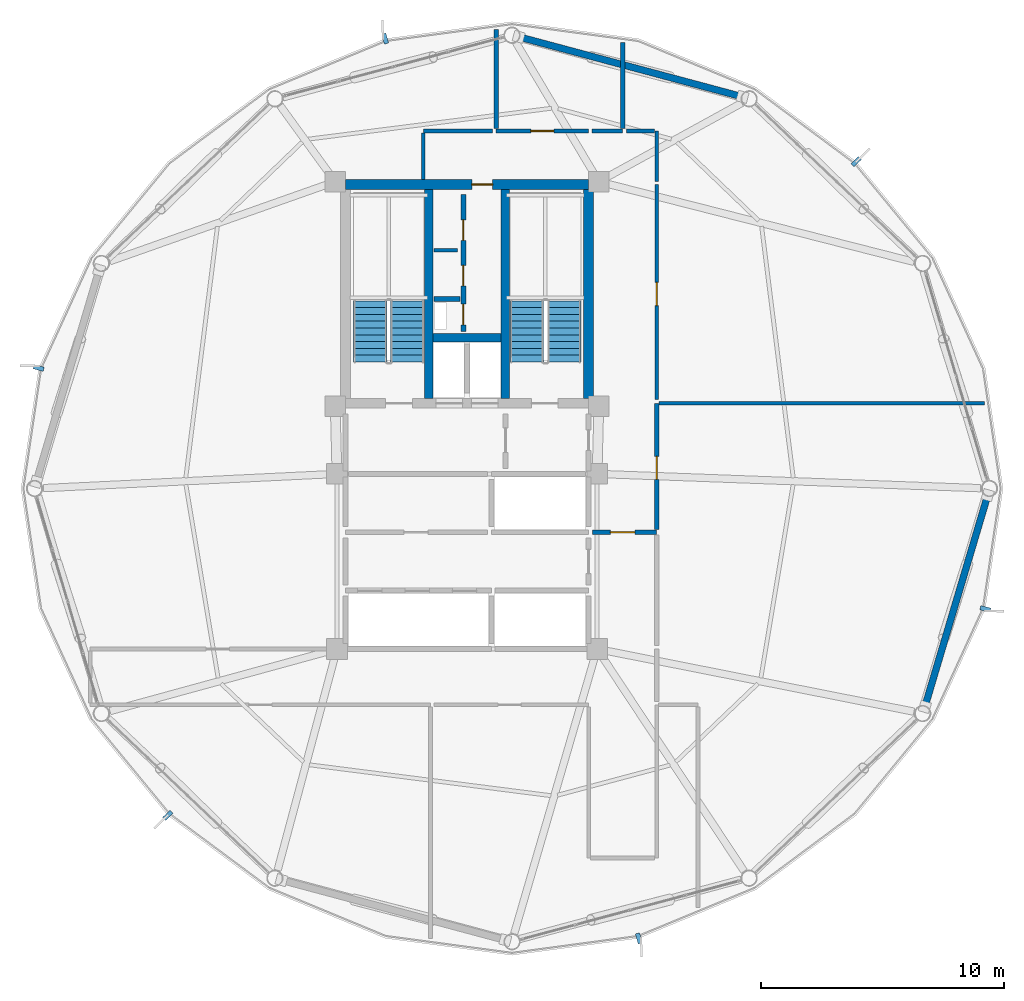
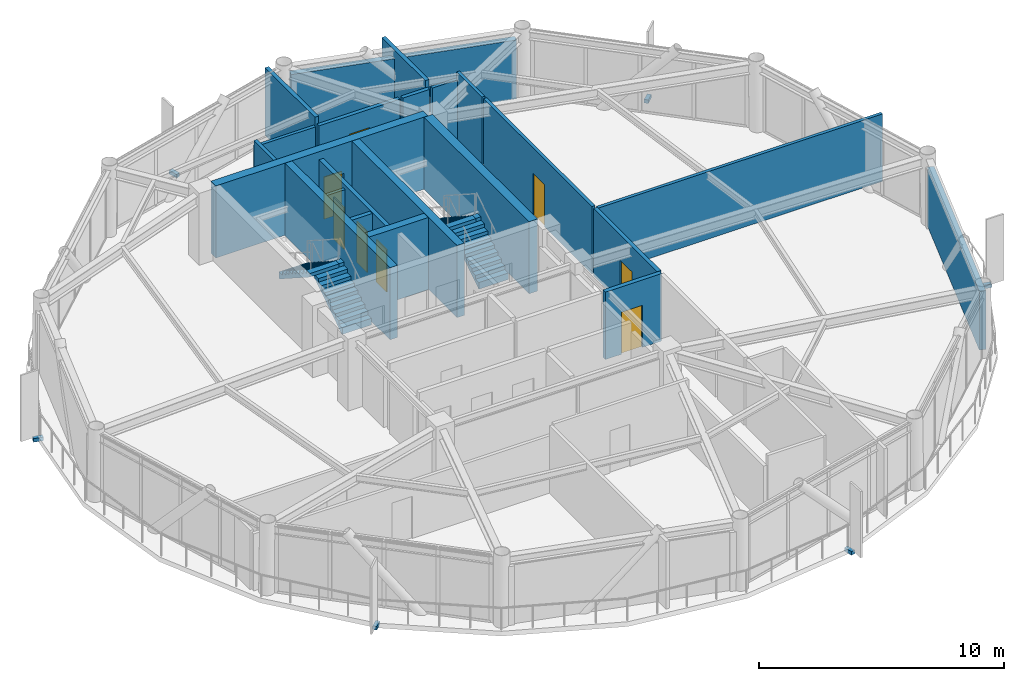
# One storey, part 23 of 28: 22 walls, 8 doors, 6 discrete accessories, 4 stair flights, 8 openings, 2 elements without a shape of their own.
"""IFC4 building model written with IfcOpenShell, lengths in metres."""

from ifc_helpers import new_model, si_unit, direction, frame, frame_2d, origin, origin_2d, place, context, subcontext, project, spatial, polyline, rectangle, outline, extrude, source, transform, mapped, material, layer, layer_set, type_object, type_shapes, element, fill, aggregate, save


model = new_model("IFC4")

# Units and contexts
model_context = context("Model", 3, precision=1e-05, world=origin(), true_north=direction((0.0, 1.0)))
body_context = subcontext(model_context, "Body", "Model", "MODEL_VIEW")
ifc_project = project(units=[si_unit("LENGTHUNIT", "METRE"), si_unit("AREAUNIT", "SQUARE_METRE"), si_unit("VOLUMEUNIT", "CUBIC_METRE"), si_unit("PLANEANGLEUNIT", "RADIAN"), si_unit("MASSUNIT", "GRAM", prefix="KILO")], contexts=[model_context])

# Site, building, storey
site_placement = place(None, origin())
site = spatial("IfcSite", under=ifc_project, at=site_placement, CompositionType="ELEMENT")
building_placement = place(site_placement, origin())
building = spatial("IfcBuilding", under=site, at=building_placement, Name="Varnakorn Sky Granary", CompositionType="ELEMENT")
storey_placement = place(building_placement, frame((0.0, 0.0, 186.0)))
storey = spatial("IfcBuildingStorey", under=building, at=storey_placement, Name="L46", CompositionType="ELEMENT", Elevation=186.0)

# Walls
ifc_material_1 = material(Name="Concrete C50/60", Category="concrete")
ifc_layer_1 = layer(ifc_material_1, 0.35009765625, Name="Concrete C50/60")
ifc_layer_set_1 = layer_set([ifc_layer_1], Name="Concrete C50/60")
wall_type_1 = type_object("IfcWallType", Name="WT-CW-INT-350", PredefinedType="SHEAR", material=ifc_layer_set_1)
for number, where, z_axis, x_axis, name in (
    (1, (1.419921875, 3.7099609375, 0.0), (0.0, 0.0, 1.0), (0.0, 1.0, 0.0), "Stair ST-1 Core Wall L46"),
    (2, (4.580078125, 3.7099609375, 0.0), (0.0, 0.0, 1.0), (0.0, 1.0, 0.0), "Stair ST-2 Core Wall L46"),
):
    element("IfcWall", number, at=place(storey_placement, frame(where, z_axis=z_axis, x_axis=x_axis)), inside=storey, type_object=wall_type_1, Name=name, PredefinedType="SHEAR", context=body_context, shape_type="SweptSolid", body=[
        extrude(rectangle(XDim=8.580078125, YDim=0.35009765625, at=frame_2d((4.2900390625, 0.0))), origin(), (0.0, 0.0, 1.0), 3.592041015625),
    ])
wall_1_placement = place(storey_placement, frame((1.610107421875, 6.199951171875, 0.0), z_axis=(0.0, 0.0, 1.0), x_axis=(1.0, 0.0, 0.0)))
element("IfcWall", 3, at=wall_1_placement, inside=storey, type_object=wall_type_1, Name="Core Lift Shaft Cross Wall L46", PredefinedType="SHEAR", context=body_context, shape_type="SweptSolid", body=[
    extrude(rectangle(XDim=2.77978515625, YDim=0.35009765625, at=frame_2d((1.389892578125, 0.0))), origin(), (0.0, 0.0, 1.0), 3.592041015625),
])

# Wall, opening, door
ifc_layer_2 = layer(ifc_material_1, 0.39990234375, Name="Concrete C50/60")
ifc_layer_set_2 = layer_set([ifc_layer_2], Name="Concrete C50/60")
wall_type_2 = type_object("IfcWallType", Name="WT-CW-SHEAR-400", PredefinedType="SHEAR", material=ifc_layer_set_2)
wall_2_placement = place(storey_placement, frame((-2.0, 12.5, 0.0), z_axis=(0.0, 0.0, 1.0), x_axis=(1.0, 0.0, 0.0)))
wall_2 = element("IfcWall", 4, at=wall_2_placement, inside=storey, type_object=wall_type_2, Name="Core North Shear Wall L46", PredefinedType="SHEAR", context=body_context, shape_type="SweptSolid", body=[
    extrude(rectangle(XDim=10.0, YDim=0.39990234375, at=frame_2d((5.0, 0.0))), origin(), (0.0, 0.0, 1.0), 3.592041015625),
])
opening_1_placement = place(wall_2_placement, frame((5.199951171875, 0.0, 0.0)))
opening_1 = element("IfcOpeningElement", 5, at=opening_1_placement, cuts=wall_2, Name="Opening FD-60N", PredefinedType="OPENING", context=body_context, shape_type="SweptSolid", body=[
    extrude(rectangle(XDim=0.85009765625, YDim=2.10009765625, at=frame_2d((0.425048828125, 1.050048828125))), frame((0.0, 0.2099609375, 0.0), z_axis=(0.0, -1.0, 0.0), x_axis=(1.0, 0.0, 0.0)), (0.0, 0.0, 1.0), 0.419921875),
])
ifc_material_2 = material(Name="Acoustic Timber Fire Leaf", Category="wood")
door_type_1 = type_object("IfcDoorType", Name="DR-FD60-850", OperationType="NOTDEFINED", PredefinedType="DOOR", material=ifc_material_2)
door_1_placement = place(opening_1_placement, origin())
door_1 = element("IfcDoor", 6, at=door_1_placement, inside=storey, type_object=door_type_1, Name="Core North Service Door L46", OperationType="SINGLE_SWING_RIGHT", OverallHeight=2.10009765625, OverallWidth=0.85009765625, PredefinedType="DOOR", context=body_context, shape_type="SweptSolid", body=[
    extrude(rectangle(XDim=0.85009765625, YDim=2.10009765625, at=frame_2d((0.425048828125, 1.050048828125))), frame((0.0, 0.02490234375, 0.0), z_axis=(0.0, -1.0, 0.0), x_axis=(1.0, 0.0, 0.0)), (0.0, 0.0, 1.0), 0.050048828125),
])
fill(opening_1, door_1)

# Walls
wall_3_placement = place(storey_placement, frame((8.0, 3.7099609375, 0.0), z_axis=(0.0, 0.0, 1.0), x_axis=(0.0, 1.0, 0.0)))
element("IfcWall", 7, at=wall_3_placement, inside=storey, type_object=wall_type_2, Name="Core East Shear Wall L46", PredefinedType="SHEAR", context=body_context, shape_type="SweptSolid", body=[
    extrude(rectangle(XDim=8.580078125, YDim=0.39990234375, at=frame_2d((4.2900390625, 0.0))), origin(), (0.0, 0.0, 1.0), 3.592041015625),
])
ifc_material_3 = material(Name="Precast concrete C40/50", Category="concrete")
ifc_layer_3 = layer(ifc_material_3, 0.280029296875, Name="Precast concrete C40/50")
ifc_layer_set_3 = layer_set([ifc_layer_3], Name="Precast concrete C40/50")
wall_type_3 = type_object("IfcWallType", Name="WT-EW-CRN-280", PredefinedType="SOLIDWALL", material=ifc_layer_set_3)
wall_4_placement = place(storey_placement, frame((5.125244140625, 18.57421875, 0.0), z_axis=(0.0, 0.0, 1.0), x_axis=(0.965895670717, -0.258931561014, 0.0)))
element("IfcWall", 8, at=wall_4_placement, inside=storey, type_object=wall_type_3, Name="Agritech Insulated Precast Facade Wall L46-P03", PredefinedType="SOLIDWALL", context=body_context, shape_type="SweptSolid", body=[
    extrude(rectangle(XDim=9.530517578125, YDim=0.280029296875, at=frame_2d((4.76513671875, 0.0))), origin(), (0.0, 0.0, 1.0), 2.929931640625),
])
wall_5_placement = place(storey_placement, frame((24.416015625, -0.273193359375, 0.0), z_axis=(0.0, 0.0, 1.0), x_axis=(-0.28470670411, -0.958614673701, 0.0)))
element("IfcWall", 9, at=wall_5_placement, inside=storey, type_object=wall_type_3, Name="Agritech Insulated Precast Facade Wall L46-P12", PredefinedType="SOLIDWALL", context=body_context, shape_type="SweptSolid", body=[
    extrude(rectangle(XDim=9.086181640625, YDim=0.280029296875, at=frame_2d((4.54296875, 0.0))), origin(), (0.0, 0.0, 1.0), 2.929931640625),
])

# Wall, openings, doors
ifc_material_4 = material(Name="Autoclaved Aerated Concrete Blockwork", Category="masonry")
ifc_layer_4 = layer(ifc_material_4, 0.199951171875, Name="Autoclaved Aerated Concrete Blockwork")
ifc_layer_set_4 = layer_set([ifc_layer_4], Name="Autoclaved Aerated Concrete Blockwork")
wall_type_4 = type_object("IfcWallType", Name="WT-FIRE-200", PredefinedType="MOVABLE", material=ifc_layer_set_4)
wall_6_placement = place(storey_placement, frame((2.85009765625, 6.449951171875, 0.0), z_axis=(0.0, 0.0, 1.0), x_axis=(0.0, 1.0, 0.0)))
wall_6 = element("IfcWall", 10, at=wall_6_placement, inside=storey, type_object=wall_type_4, Name="Interior Partition Wall L46-014", PredefinedType="MOVABLE", context=body_context, shape_type="SweptSolid", body=[
    extrude(rectangle(XDim=5.650146484375, YDim=0.199951171875, at=frame_2d((2.8251953125, 0.0))), origin(), (0.0, 0.0, 1.0), 3.360107421875),
])
opening_2_placement = place(wall_6_placement, frame((1.8798828125, 0.0, 0.0)))
opening_2 = element("IfcOpeningElement", 11, at=opening_2_placement, cuts=wall_6, Name="Opening RD-85", PredefinedType="OPENING", context=body_context, shape_type="SweptSolid", body=[
    extrude(rectangle(XDim=0.85009765625, YDim=2.050048828125, at=frame_2d((0.425048828125, 1.02490234375))), frame((0.0, 0.10986328125, 0.0), z_axis=(0.0, -1.0, 0.0), x_axis=(1.0, 0.0, 0.0)), (0.0, 0.0, 1.0), 0.219970703125),
])
opening_3_placement = place(wall_6_placement, frame((3.75, 0.0, 0.0)))
opening_3 = element("IfcOpeningElement", 12, at=opening_3_placement, cuts=wall_6, Name="Opening FD-60N", PredefinedType="OPENING", context=body_context, shape_type="SweptSolid", body=[
    extrude(rectangle(XDim=0.85009765625, YDim=2.10009765625, at=frame_2d((0.425048828125, 1.050048828125))), frame((0.0, 0.10986328125, 0.0), z_axis=(0.0, -1.0, 0.0), x_axis=(1.0, 0.0, 0.0)), (0.0, 0.0, 1.0), 0.219970703125),
])
opening_4_placement = place(wall_6_placement, frame((0.280029296875, 0.0, 0.0)))
opening_4 = element("IfcOpeningElement", 13, at=opening_4_placement, cuts=wall_6, Name="Opening FD-60N", PredefinedType="OPENING", context=body_context, shape_type="SweptSolid", body=[
    extrude(rectangle(XDim=0.85009765625, YDim=2.10009765625, at=frame_2d((0.425048828125, 1.050048828125))), frame((0.0, 0.10986328125, 0.0), z_axis=(0.0, -1.0, 0.0), x_axis=(1.0, 0.0, 0.0)), (0.0, 0.0, 1.0), 0.219970703125),
])
door_2_placement = place(opening_3_placement, origin())
door_2 = element("IfcDoor", 14, at=door_2_placement, inside=storey, type_object=door_type_1, Name="Interior Door L46-014-2", OperationType="SINGLE_SWING_LEFT", OverallHeight=2.10009765625, OverallWidth=0.85009765625, PredefinedType="DOOR", context=body_context, shape_type="SweptSolid", body=[
    extrude(rectangle(XDim=0.85009765625, YDim=2.10009765625, at=frame_2d((0.425048828125, 1.050048828125))), frame((0.0, 0.02490234375, 0.0), z_axis=(0.0, -1.0, 0.0), x_axis=(1.0, 0.0, 0.0)), (0.0, 0.0, 1.0), 0.050048828125),
])
fill(opening_3, door_2)
door_3_placement = place(opening_4_placement, origin())
door_3 = element("IfcDoor", 15, at=door_3_placement, inside=storey, type_object=door_type_1, Name="Interior Door L46-014-3", OperationType="SINGLE_SWING_RIGHT", OverallHeight=2.10009765625, OverallWidth=0.85009765625, PredefinedType="DOOR", context=body_context, shape_type="SweptSolid", body=[
    extrude(rectangle(XDim=0.85009765625, YDim=2.10009765625, at=frame_2d((0.425048828125, 1.050048828125))), frame((0.0, 0.02490234375, 0.0), z_axis=(0.0, -1.0, 0.0), x_axis=(1.0, 0.0, 0.0)), (0.0, 0.0, 1.0), 0.050048828125),
])
fill(opening_4, door_3)
ifc_material_5 = material(Name="Galvanised Painted Steel Leaf", Category="steel")
door_type_2 = type_object("IfcDoorType", Name="DR-RIS-850", OperationType="NOTDEFINED", PredefinedType="DOOR", material=ifc_material_5)
door_4_placement = place(opening_2_placement, origin())
door_4 = element("IfcDoor", 16, at=door_4_placement, inside=storey, type_object=door_type_2, Name="MEP Riser Shaft Access Door L46-014-1", OperationType="SINGLE_SWING_RIGHT", OverallHeight=2.050048828125, OverallWidth=0.85009765625, PredefinedType="DOOR", context=body_context, shape_type="SweptSolid", body=[
    extrude(rectangle(XDim=0.85009765625, YDim=2.050048828125, at=frame_2d((0.425048828125, 1.02490234375))), frame((0.0, 0.02490234375, 0.0), z_axis=(0.0, -1.0, 0.0), x_axis=(1.0, 0.0, 0.0)), (0.0, 0.0, 1.0), 0.050048828125),
])
fill(opening_2, door_4)

# Wall, opening, door
wall_7_placement = place(storey_placement, frame((8.159912109375, -1.800048828125, 0.0), z_axis=(0.0, 0.0, 1.0), x_axis=(1.0, 0.0, 0.0)))
wall_7 = element("IfcWall", 17, at=wall_7_placement, inside=storey, type_object=wall_type_4, Name="Interior Partition Wall L46-019", PredefinedType="MOVABLE", context=body_context, shape_type="SweptSolid", body=[
    extrude(rectangle(XDim=2.64013671875, YDim=0.199951171875, at=frame_2d((1.320068359375, 0.0))), origin(), (0.0, 0.0, 1.0), 3.360107421875),
])
opening_5_placement = place(wall_7_placement, frame((0.739990234375, 0.0, 0.0)))
opening_5 = element("IfcOpeningElement", 18, at=opening_5_placement, cuts=wall_7, Name="Opening FD-60", PredefinedType="OPENING", context=body_context, shape_type="SweptSolid", body=[
    extrude(rectangle(XDim=1.0, YDim=2.10009765625, at=frame_2d((0.5, 1.050048828125))), frame((0.0, 0.10986328125, 0.0), z_axis=(0.0, -1.0, 0.0), x_axis=(1.0, 0.0, 0.0)), (0.0, 0.0, 1.0), 0.219970703125),
])
door_type_3 = type_object("IfcDoorType", Name="DR-FD60-1000", OperationType="NOTDEFINED", PredefinedType="DOOR", material=ifc_material_2)
door_5_placement = place(opening_5_placement, origin())
door_5 = element("IfcDoor", 19, at=door_5_placement, inside=storey, type_object=door_type_3, Name="Interior Door L46-019-1", OperationType="SINGLE_SWING_LEFT", OverallHeight=2.10009765625, OverallWidth=1.0, PredefinedType="DOOR", context=body_context, shape_type="SweptSolid", body=[
    extrude(rectangle(XDim=1.0, YDim=2.10009765625, at=frame_2d((0.5, 1.050048828125))), frame((0.0, 0.02490234375, 0.0), z_axis=(0.0, -1.0, 0.0), x_axis=(1.0, 0.0, 0.0)), (0.0, 0.0, 1.0), 0.050048828125),
])
fill(opening_5, door_5)

ifc_material_6 = material(Name="Gypsum Plasterboard on Steel Stud", Category="steel")
ifc_layer_5 = layer(ifc_material_6, 0.14990234375, Name="Gypsum Plasterboard on Steel Stud")
ifc_layer_set_5 = layer_set([ifc_layer_5], Name="Gypsum Plasterboard on Steel Stud")
wall_type_5 = type_object("IfcWallType", Name="WT-PART-150", PredefinedType="PARTITIONING", material=ifc_layer_set_5)
wall_8_placement = place(storey_placement, frame((10.800048828125, 3.64990234375, 0.0), z_axis=(0.0, 0.0, 1.0), x_axis=(0.0, 1.0, 0.0)))
wall_8 = element("IfcWall", 20, at=wall_8_placement, inside=storey, type_object=wall_type_5, Name="Interior Partition Wall L46-025", PredefinedType="PARTITIONING", context=body_context, shape_type="SweptSolid", body=[
    extrude(rectangle(XDim=8.85009765625, YDim=0.14990234375, at=frame_2d((4.425048828125, 0.0))), origin(), (0.0, 0.0, 1.0), 3.360107421875),
])
opening_6_placement = place(wall_8_placement, frame((3.875, 0.0, 0.0)))
opening_6 = element("IfcOpeningElement", 21, at=opening_6_placement, cuts=wall_8, Name="Opening ID-95", PredefinedType="OPENING", context=body_context, shape_type="SweptSolid", body=[
    extrude(rectangle(XDim=0.949951171875, YDim=2.10009765625, at=frame_2d((0.47509765625, 1.050048828125))), frame((0.0, 0.0849609375, 0.0), z_axis=(0.0, -1.0, 0.0), x_axis=(1.0, 0.0, 0.0)), (0.0, 0.0, 1.0), 0.169921875),
])
ifc_material_7 = material(Name="Solid-Core Teak Veneer Leaf", Category="timber")
door_type_4 = type_object("IfcDoorType", Name="DR-INT-950", OperationType="NOTDEFINED", PredefinedType="DOOR", material=ifc_material_7)
door_6_placement = place(opening_6_placement, origin())
door_6 = element("IfcDoor", 22, at=door_6_placement, inside=storey, type_object=door_type_4, Name="Interior Door L46-025-1", OperationType="SINGLE_SWING_LEFT", OverallHeight=2.10009765625, OverallWidth=0.949951171875, PredefinedType="DOOR", context=body_context, shape_type="SweptSolid", body=[
    extrude(rectangle(XDim=0.949951171875, YDim=2.10009765625, at=frame_2d((0.47509765625, 1.050048828125))), frame((0.0, 0.02490234375, 0.0), z_axis=(0.0, -1.0, 0.0), x_axis=(1.0, 0.0, 0.0)), (0.0, 0.0, 1.0), 0.050048828125),
])
fill(opening_6, door_6)

# Walls
wall_9_placement = place(storey_placement, frame((1.64990234375, 9.800048828125, 0.0), z_axis=(0.0, 0.0, 1.0), x_axis=(1.0, 0.0, 0.0)))
element("IfcWall", 23, at=wall_9_placement, inside=storey, type_object=wall_type_5, Name="Interior Partition Wall L46-026", PredefinedType="PARTITIONING", context=body_context, shape_type="SweptSolid", body=[
    extrude(rectangle(XDim=0.960205078125, YDim=0.14990234375, at=frame_2d((0.47998046875, 0.0))), origin(), (0.0, 0.0, 1.0), 3.360107421875),
])
wall_10_placement = place(storey_placement, frame((4.050048828125, 14.699951171875, 0.0), z_axis=(0.0, 0.0, 1.0), x_axis=(-1.0, 0.0, 0.0)))
element("IfcWall", 24, at=wall_10_placement, inside=storey, type_object=wall_type_5, Name="Interior Partition Wall L46-039", PredefinedType="PARTITIONING", context=body_context, shape_type="SweptSolid", body=[
    extrude(rectangle(XDim=2.85009765625, YDim=0.14990234375, at=frame_2d((1.425048828125, 0.0))), origin(), (0.0, 0.0, 1.0), 3.011962890625),
])
wall_11_placement = place(storey_placement, frame((1.199951171875, 14.614990234375, 0.0), z_axis=(0.0, 0.0, 1.0), x_axis=(0.0, -1.0, 0.0)))
element("IfcWall", 25, at=wall_11_placement, inside=storey, type_object=wall_type_5, Name="Interior Partition Wall L46-040", PredefinedType="PARTITIONING", context=body_context, shape_type="SweptSolid", body=[
    extrude(rectangle(XDim=1.905029296875, YDim=0.14990234375, at=frame_2d((0.95263671875, 0.0))), origin(), (0.0, 0.0, 1.0), 3.360107421875),
])
wall_12_placement = place(storey_placement, frame((10.89990234375, 3.5, 0.0), z_axis=(0.0, 0.0, 1.0), x_axis=(1.0, 0.0, 0.0)))
element("IfcWall", 26, at=wall_12_placement, inside=storey, type_object=wall_type_5, Name="Interior Partition Wall L46-044", PredefinedType="PARTITIONING", context=body_context, shape_type="SweptSolid", body=[
    extrude(rectangle(XDim=13.39013671875, YDim=0.14990234375, at=frame_2d((6.695068359375, 0.0))), origin(), (0.0, 0.0, 1.0), 3.360107421875),
])
wall_13_placement = place(storey_placement, frame((10.800048828125, 12.635009765625, 0.0), z_axis=(0.0, 0.0, 1.0), x_axis=(0.0, 1.0, 0.0)))
element("IfcWall", 27, at=wall_13_placement, inside=storey, type_object=wall_type_5, Name="Interior Partition Wall L46-045", PredefinedType="PARTITIONING", context=body_context, shape_type="SweptSolid", body=[
    extrude(rectangle(XDim=2.06494140625, YDim=0.14990234375, at=frame_2d((1.032470703125, 0.0))), origin(), (0.0, 0.0, 1.0), 3.360107421875),
])
wall_14_placement = place(storey_placement, frame((10.715087890625, 14.699951171875, 0.0), z_axis=(0.0, 0.0, 1.0), x_axis=(-1.0, 0.0, 0.0)))
element("IfcWall", 28, at=wall_14_placement, inside=storey, type_object=wall_type_5, Name="Interior Partition Wall L46-046", PredefinedType="PARTITIONING", context=body_context, shape_type="SweptSolid", body=[
    extrude(rectangle(XDim=1.1650390625, YDim=0.14990234375, at=frame_2d((0.58251953125, 0.0))), origin(), (0.0, 0.0, 1.0), 3.011962890625),
])

# Wall, opening, door
ifc_material_8 = material(Name="Moisture-Resistant Gypsum on Stud", Category="gypsum")
ifc_layer_6 = layer(ifc_material_8, 0.179931640625, Name="Moisture-Resistant Gypsum on Stud")
ifc_layer_set_6 = layer_set([ifc_layer_6], Name="Moisture-Resistant Gypsum on Stud")
wall_type_6 = type_object("IfcWallType", Name="WT-PLUMB-180", PredefinedType="PLUMBINGWALL", material=ifc_layer_set_6)
wall_15_placement = place(storey_placement, frame((8.0, 14.699951171875, 0.0), z_axis=(0.0, 0.0, 1.0), x_axis=(-1.0, 0.0, 0.0)))
wall_15 = element("IfcWall", 29, at=wall_15_placement, inside=storey, type_object=wall_type_6, Name="Interior Partition Wall L46-020", PredefinedType="PLUMBINGWALL", context=body_context, shape_type="SweptSolid", body=[
    extrude(rectangle(XDim=3.800048828125, YDim=0.179931640625, at=frame_2d((1.89990234375, 0.0))), origin(), (0.0, 0.0, 1.0), 3.011962890625),
])
opening_7_placement = place(wall_15_placement, frame((1.425048828125, 0.0, 0.0)))
opening_7 = element("IfcOpeningElement", 30, at=opening_7_placement, cuts=wall_15, Name="Opening ID-95", PredefinedType="OPENING", context=body_context, shape_type="SweptSolid", body=[
    extrude(rectangle(XDim=0.949951171875, YDim=2.10009765625, at=frame_2d((0.47509765625, 1.050048828125))), frame((0.0, 0.10009765625, 0.0), z_axis=(0.0, -1.0, 0.0), x_axis=(1.0, 0.0, 0.0)), (0.0, 0.0, 1.0), 0.199951171875),
])
door_7_placement = place(opening_7_placement, origin())
door_7 = element("IfcDoor", 31, at=door_7_placement, inside=storey, type_object=door_type_4, Name="Interior Door L46-020-1", OperationType="SINGLE_SWING_RIGHT", OverallHeight=2.10009765625, OverallWidth=0.949951171875, PredefinedType="DOOR", context=body_context, shape_type="SweptSolid", body=[
    extrude(rectangle(XDim=0.949951171875, YDim=2.10009765625, at=frame_2d((0.47509765625, 1.050048828125))), frame((0.0, 0.02490234375, 0.0), z_axis=(0.0, -1.0, 0.0), x_axis=(1.0, 0.0, 0.0)), (0.0, 0.0, 1.0), 0.050048828125),
])
fill(opening_7, door_7)

wall_16_placement = place(storey_placement, frame((10.800048828125, -1.68994140625, 0.0), z_axis=(0.0, 0.0, 1.0), x_axis=(0.0, 1.0, 0.0)))
wall_16 = element("IfcWall", 32, at=wall_16_placement, inside=storey, type_object=wall_type_6, Name="Interior Partition Wall L46-024", PredefinedType="PLUMBINGWALL", context=body_context, shape_type="SweptSolid", body=[
    extrude(rectangle(XDim=5.18994140625, YDim=0.179931640625, at=frame_2d((2.594970703125, 0.0))), origin(), (0.0, 0.0, 1.0), 3.360107421875),
])
opening_8_placement = place(wall_16_placement, frame((2.06494140625, 0.0, 0.0)))
opening_8 = element("IfcOpeningElement", 33, at=opening_8_placement, cuts=wall_16, Name="Opening ID-95", PredefinedType="OPENING", context=body_context, shape_type="SweptSolid", body=[
    extrude(rectangle(XDim=0.949951171875, YDim=2.10009765625, at=frame_2d((0.47509765625, 1.050048828125))), frame((0.0, 0.10009765625, 0.0), z_axis=(0.0, -1.0, 0.0), x_axis=(1.0, 0.0, 0.0)), (0.0, 0.0, 1.0), 0.199951171875),
])
door_8_placement = place(opening_8_placement, origin())
door_8 = element("IfcDoor", 34, at=door_8_placement, inside=storey, type_object=door_type_4, Name="Interior Door L46-024-1", OperationType="SINGLE_SWING_RIGHT", OverallHeight=2.10009765625, OverallWidth=0.949951171875, PredefinedType="DOOR", context=body_context, shape_type="SweptSolid", body=[
    extrude(rectangle(XDim=0.949951171875, YDim=2.10009765625, at=frame_2d((0.47509765625, 1.050048828125))), frame((0.0, 0.02490234375, 0.0), z_axis=(0.0, -1.0, 0.0), x_axis=(1.0, 0.0, 0.0)), (0.0, 0.0, 1.0), 0.050048828125),
])
fill(opening_8, door_8)

# Walls
wall_17_placement = place(storey_placement, frame((9.39990234375, 14.699951171875, 0.0), z_axis=(0.0, 0.0, 1.0), x_axis=(-1.0, 0.0, 0.0)))
element("IfcWall", 35, at=wall_17_placement, inside=storey, type_object=wall_type_6, Name="Interior Partition Wall L46-031", PredefinedType="PLUMBINGWALL", context=body_context, shape_type="SweptSolid", body=[
    extrude(rectangle(XDim=1.25, YDim=0.179931640625, at=frame_2d((0.625, 0.0))), origin(), (0.0, 0.0, 1.0), 3.011962890625),
])
wall_18_placement = place(storey_placement, frame((4.199951171875, 18.87109375, 0.0), z_axis=(0.0, 0.0, 1.0), x_axis=(0.0, -1.0, 0.0)))
element("IfcWall", 36, at=wall_18_placement, inside=storey, type_object=wall_type_6, Name="Interior Partition Wall L46-041", PredefinedType="PLUMBINGWALL", context=body_context, shape_type="SweptSolid", body=[
    extrude(rectangle(XDim=4.071044921875, YDim=0.179931640625, at=frame_2d((2.03564453125, 0.0))), origin(), (0.0, 0.0, 1.0), 3.360107421875),
])
wall_19_placement = place(storey_placement, frame((9.39990234375, 14.800048828125, 0.0), z_axis=(0.0, 0.0, 1.0), x_axis=(0.0, 1.0, 0.0)))
element("IfcWall", 37, at=wall_19_placement, inside=storey, type_object=wall_type_6, Name="Interior Partition Wall L46-047", PredefinedType="PLUMBINGWALL", context=body_context, shape_type="SweptSolid", body=[
    extrude(rectangle(XDim=3.549072265625, YDim=0.179931640625, at=frame_2d((1.7744140625, 0.0))), origin(), (0.0, 0.0, 1.0), 3.360107421875),
])
ifc_layer_7 = layer(ifc_material_4, 0.199951171875, Name="Autoclaved Aerated Concrete Blockwork")
ifc_layer_set_7 = layer_set([ifc_layer_7], Name="Autoclaved Aerated Concrete Blockwork")
wall_type_7 = type_object("IfcWallType", Name="WT-SHAFT-200", PredefinedType="SOLIDWALL", material=ifc_layer_set_7)
wall_20_placement = place(storey_placement, frame((1.64990234375, 7.800048828125, 0.0), z_axis=(0.0, 0.0, 1.0), x_axis=(1.0, 0.0, 0.0)))
element("IfcWall", 38, at=wall_20_placement, inside=storey, type_object=wall_type_7, Name="Interior Partition Wall L46-002", PredefinedType="SOLIDWALL", context=body_context, shape_type="SweptSolid", body=[
    extrude(rectangle(XDim=1.070068359375, YDim=0.199951171875, at=frame_2d((0.53515625, 0.0))), origin(), (0.0, 0.0, 1.0), 3.360107421875),
])

# Stair, stair flights
ifc_material_9 = material(Name="Concrete C40/50", Category="concrete")
stair_type = type_object("IfcStairType", Name="ST-MAIN-ASSEMBLY", PredefinedType="HALF_TURN_STAIR", material=ifc_material_9)
stair_1_placement = place(storey_placement, origin())
stair_1 = element("IfcStair", 39, at=stair_1_placement, inside=storey, type_object=stair_type, Name="L46 Protected Exit Stair ST-1", PredefinedType="HALF_TURN_STAIR")
stair_flight_type = type_object("IfcStairFlightType", Name="ST-MAIN-FLIGHT", PredefinedType="STRAIGHT", material=ifc_material_9)
stair_flight_1_placement = place(storey_placement, frame((0.550048828125, 5.199951171875, 0.0), z_axis=(0.0, 0.0, 1.0), x_axis=(0.0, 1.0, 0.0)))
stair_flight_1 = element("IfcStairFlight", 40, at=stair_flight_1_placement, type_object=stair_flight_type, Name="ST-1 flight 1", NumberOfRisers=10, NumberOfTreads=9, PredefinedType="STRAIGHT", RiserHeight=0.18, TreadLength=0.28, context=body_context, shape_type="SweptSolid", body=[
    extrude(outline(polyline([(0.0, -0.14990234375), (0.0, 0.0), (0.0, 0.179931640625), (0.280029296875, 0.179931640625), (0.280029296875, 0.360107421875), (0.56005859375, 0.360107421875), (0.56005859375, 0.5400390625), (0.840087890625, 0.5400390625), (0.840087890625, 0.719970703125), (1.1201171875, 0.719970703125), (1.1201171875, 0.89990234375), (1.39990234375, 0.89990234375), (1.39990234375, 1.080078125), (1.679931640625, 1.080078125), (1.679931640625, 1.260009765625), (1.9599609375, 1.260009765625), (1.9599609375, 1.43994140625), (2.239990234375, 1.43994140625), (2.239990234375, 1.6201171875), (2.52001953125, 1.6201171875), (2.52001953125, 1.800048828125), (2.52001953125, 1.44189453125), (0.050048828125, -0.14990234375), (0.0, -0.14990234375)])), frame((0.0, 0.68994140625, 0.0), z_axis=(0.0, -1.0, 0.0), x_axis=(1.0, 0.0, 0.0)), (0.0, 0.0, 1.0), 1.3798828125),
])
stair_flight_2_placement = place(storey_placement, frame((-0.97998046875, 7.719970703125, 1.800048828125), z_axis=(0.0, 0.0, 1.0), x_axis=(0.0, -1.0, 0.0)))
stair_flight_2 = element("IfcStairFlight", 41, at=stair_flight_2_placement, type_object=stair_flight_type, Name="ST-1 flight 2", NumberOfRisers=10, NumberOfTreads=9, PredefinedType="STRAIGHT", RiserHeight=0.18, TreadLength=0.28, context=body_context, shape_type="SweptSolid", body=[
    extrude(outline(polyline([(0.0, -0.14990234375), (0.0, 0.0), (0.0, 0.179931640625), (0.280029296875, 0.179931640625), (0.280029296875, 0.360107421875), (0.56005859375, 0.360107421875), (0.56005859375, 0.5400390625), (0.840087890625, 0.5400390625), (0.840087890625, 0.719970703125), (1.1201171875, 0.719970703125), (1.1201171875, 0.89990234375), (1.39990234375, 0.89990234375), (1.39990234375, 1.080078125), (1.679931640625, 1.080078125), (1.679931640625, 1.260009765625), (1.9599609375, 1.260009765625), (1.9599609375, 1.43994140625), (2.239990234375, 1.43994140625), (2.239990234375, 1.6201171875), (2.52001953125, 1.6201171875), (2.52001953125, 1.800048828125), (2.52001953125, 1.44189453125), (0.050048828125, -0.14990234375), (0.0, -0.14990234375)])), frame((0.0, 0.68994140625, 0.0), z_axis=(0.0, -1.0, 0.0), x_axis=(1.0, 0.0, 0.0)), (0.0, 0.0, 1.0), 1.3798828125),
])
aggregate(stair_1, [stair_flight_1, stair_flight_2])

stair_2_placement = place(storey_placement, origin())
stair_2 = element("IfcStair", 42, at=stair_2_placement, inside=storey, type_object=stair_type, Name="L46 Protected Exit Stair ST-2", PredefinedType="HALF_TURN_STAIR")
stair_flight_3_placement = place(storey_placement, frame((6.989990234375, 5.199951171875, 0.0), z_axis=(0.0, 0.0, 1.0), x_axis=(0.0, 1.0, 0.0)))
stair_flight_3 = element("IfcStairFlight", 43, at=stair_flight_3_placement, type_object=stair_flight_type, Name="ST-2 flight 1", NumberOfRisers=10, NumberOfTreads=9, PredefinedType="STRAIGHT", RiserHeight=0.18, TreadLength=0.28, context=body_context, shape_type="SweptSolid", body=[
    extrude(outline(polyline([(0.0, -0.14990234375), (0.0, 0.0), (0.0, 0.179931640625), (0.280029296875, 0.179931640625), (0.280029296875, 0.360107421875), (0.56005859375, 0.360107421875), (0.56005859375, 0.5400390625), (0.840087890625, 0.5400390625), (0.840087890625, 0.719970703125), (1.1201171875, 0.719970703125), (1.1201171875, 0.89990234375), (1.39990234375, 0.89990234375), (1.39990234375, 1.080078125), (1.679931640625, 1.080078125), (1.679931640625, 1.260009765625), (1.9599609375, 1.260009765625), (1.9599609375, 1.43994140625), (2.239990234375, 1.43994140625), (2.239990234375, 1.6201171875), (2.52001953125, 1.6201171875), (2.52001953125, 1.800048828125), (2.52001953125, 1.44189453125), (0.050048828125, -0.14990234375), (0.0, -0.14990234375)])), frame((0.0, 0.68994140625, 0.0), z_axis=(0.0, -1.0, 0.0), x_axis=(1.0, 0.0, 0.0)), (0.0, 0.0, 1.0), 1.3798828125),
])
stair_flight_4_placement = place(storey_placement, frame((5.4599609375, 7.719970703125, 1.800048828125), z_axis=(0.0, 0.0, 1.0), x_axis=(0.0, -1.0, 0.0)))
stair_flight_4 = element("IfcStairFlight", 44, at=stair_flight_4_placement, type_object=stair_flight_type, Name="ST-2 flight 2", NumberOfRisers=10, NumberOfTreads=9, PredefinedType="STRAIGHT", RiserHeight=0.18, TreadLength=0.28, context=body_context, shape_type="SweptSolid", body=[
    extrude(outline(polyline([(0.0, -0.14990234375), (0.0, 0.0), (0.0, 0.179931640625), (0.280029296875, 0.179931640625), (0.280029296875, 0.360107421875), (0.56005859375, 0.360107421875), (0.56005859375, 0.5400390625), (0.840087890625, 0.5400390625), (0.840087890625, 0.719970703125), (1.1201171875, 0.719970703125), (1.1201171875, 0.89990234375), (1.39990234375, 0.89990234375), (1.39990234375, 1.080078125), (1.679931640625, 1.080078125), (1.679931640625, 1.260009765625), (1.9599609375, 1.260009765625), (1.9599609375, 1.43994140625), (2.239990234375, 1.43994140625), (2.239990234375, 1.6201171875), (2.52001953125, 1.6201171875), (2.52001953125, 1.800048828125), (2.52001953125, 1.44189453125), (0.050048828125, -0.14990234375), (0.0, -0.14990234375)])), frame((0.0, 0.68994140625, 0.0), z_axis=(0.0, -1.0, 0.0), x_axis=(1.0, 0.0, 0.0)), (0.0, 0.0, 1.0), 1.3798828125),
])
aggregate(stair_2, [stair_flight_3, stair_flight_4])

# Discrete accessories
ifc_material_10 = material(Name="Steel S355JR", Category="steel")
discrete_accessory_type = type_object("IfcDiscreteAccessoryType", Name="AC-BRK-01", PredefinedType="BRACKET", material=ifc_material_10)
shared_shape = source(origin(), body_context, "Body", "SweptSolid", [
    extrude(rectangle(XDim=0.179931640625, YDim=0.419921875, at=origin_2d()), origin(), (0.0, 0.0, 1.0), 0.179931640625),
])
type_shapes(discrete_accessory_type, [shared_shape])
for number, where, z_axis, x_axis, name in (
    (45, (19.00634765625, 13.445556640625, -0.2001953125), (0.0, 0.0, 1.0), (-0.688669952875, 0.725074958889, 0.0), "Facade Solar-Screen Outrigger Bracket L46-02"),
    (46, (-0.3671875, 18.5, -0.2001953125), (0.0, 0.0, 1.0), (-0.962458864074, -0.271427586964, 0.0), "Facade Solar-Screen Outrigger Bracket L46-04"),
    (47, (-14.61572265625, 4.955810546875, -0.2001953125), (0.0, 0.0, 1.0), (-0.246716823706, -0.96908761673, 0.0), "Facade Solar-Screen Outrigger Bracket L46-06"),
    (48, (-9.306396484375, -13.445556640625, -0.2001953125), (0.0, 0.0, 1.0), (0.688669952875, -0.725074958889, 0.0), "Facade Solar-Screen Outrigger Bracket L46-08"),
    (49, (10.0673828125, -18.5, -0.2001953125), (0.0, 0.0, 1.0), (0.962458864074, 0.271427586964, 0.0), "Facade Solar-Screen Outrigger Bracket L46-10"),
    (50, (24.315673828125, -4.955810546875, -0.2001953125), (0.0, 0.0, 1.0), (0.246716823706, 0.96908761673, 0.0), "Facade Solar-Screen Outrigger Bracket L46-12"),
):
    element("IfcDiscreteAccessory", number, at=place(storey_placement, frame(where, z_axis=z_axis, x_axis=x_axis)), inside=storey, type_object=discrete_accessory_type, Name=name, PredefinedType="BRACKET", context=body_context, shape_type="MappedRepresentation", body=[
        mapped(shared_shape, transform((0.0, 0.0, 0.0), x_axis=(1.0, 0.0, 0.0), y_axis=(0.0, 1.0, 0.0), z_axis=(0.0, 0.0, 1.0), scale=1.0)),
    ])

save(model, "model.ifc")
